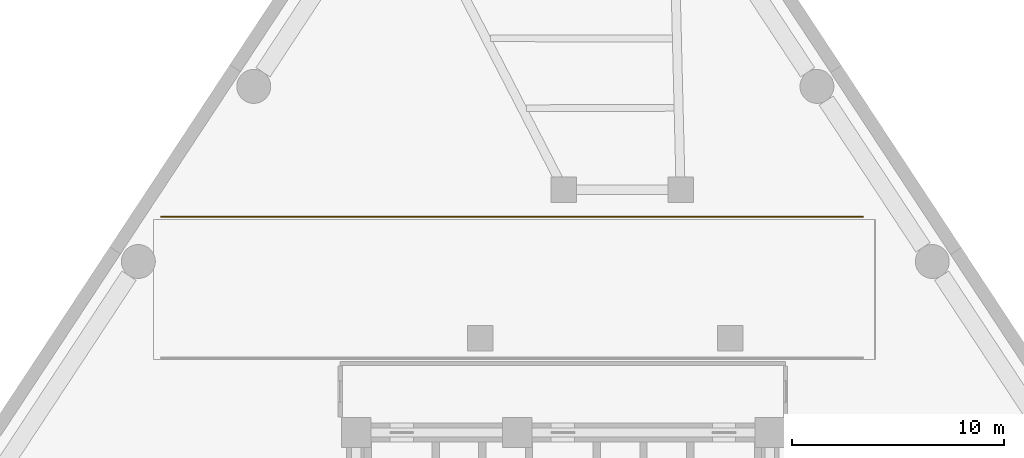
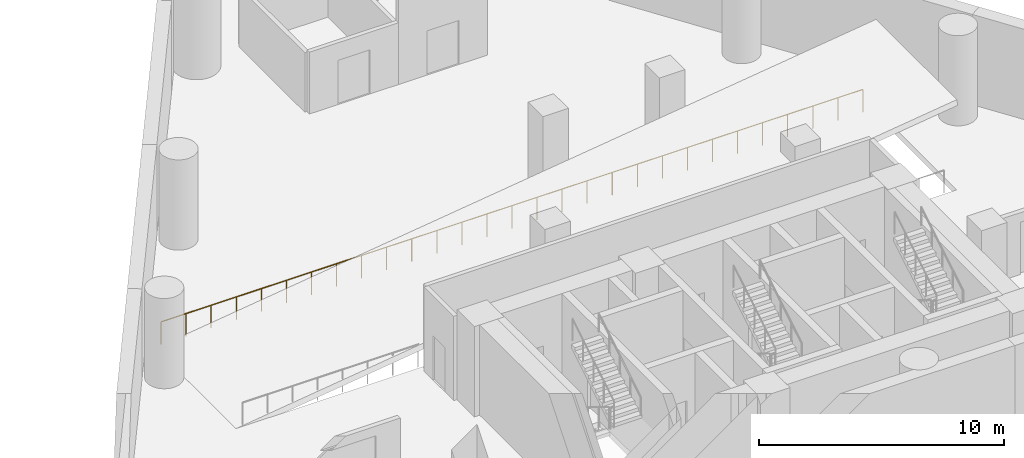
# One storey, part 6 of 6: 1 railing.
"""IFC4 building model written with IfcOpenShell, lengths in metres."""

from ifc_helpers import new_model, si_unit, direction, frame, origin, origin_2d, place, context, subcontext, project, spatial, circle, extrude, material, type_object, element, save


model = new_model("IFC4")

# Units and contexts
model_context = context("Model", 3, precision=1e-05, world=origin(), true_north=direction((0.0, 1.0)))
body_context = subcontext(model_context, "Body", "Model", "MODEL_VIEW")
ifc_project = project(units=[si_unit("LENGTHUNIT", "METRE"), si_unit("AREAUNIT", "SQUARE_METRE"), si_unit("VOLUMEUNIT", "CUBIC_METRE"), si_unit("PLANEANGLEUNIT", "RADIAN"), si_unit("MASSUNIT", "GRAM", prefix="KILO")], contexts=[model_context])

# Site, building, storey
site_placement = place(None, origin())
site = spatial("IfcSite", under=ifc_project, at=site_placement, CompositionType="ELEMENT")
building_placement = place(site_placement, origin())
building = spatial("IfcBuilding", under=site, at=building_placement, Name="Almagre Mirador Tower", CompositionType="ELEMENT")
storey_placement = place(building_placement, frame((0.0, 0.0, -4.5)))
storey = spatial("IfcBuildingStorey", under=building, at=storey_placement, Name="B01", CompositionType="ELEMENT", Elevation=-4.5)

# Railing
ifc_material = material(Name="Painted galvanized steel", Category="steel")
railing_type = type_object("IfcRailingType", Name="RLG-GRD-1150", PredefinedType="GUARDRAIL", material=ifc_material)
railing_placement = place(storey_placement, frame((18.35009765625, 24.919921875, 0.0)))
element("IfcRailing", 1, at=railing_placement, inside=storey, type_object=railing_type, Name="B01 vehicular ramp north edge guardrail", PredefinedType="GUARDRAIL", context=body_context, shape_type="SweptSolid", body=[
    extrude(circle(Radius=0.02392578125, at=origin_2d()), frame((0.0, 0.0, 1.1259765625), z_axis=(1.0, 0.0, 0.0), x_axis=(0.0, 1.0, 0.0)), (0.0, 0.0, 1.0), 33.099853515625),
    extrude(circle(Radius=0.02099609375, at=origin_2d()), origin(), (0.0, 0.0, 1.0), 1.101806640625),
    extrude(circle(Radius=0.02099609375, at=origin_2d()), frame((1.18212890625, 0.0, 0.0)), (0.0, 0.0, 1.0), 1.101806640625),
    extrude(circle(Radius=0.02099609375, at=origin_2d()), frame((2.3642578125, 0.0, 0.0)), (0.0, 0.0, 1.0), 1.101806640625),
    extrude(circle(Radius=0.02099609375, at=origin_2d()), frame((3.54638671875, 0.0, 0.0)), (0.0, 0.0, 1.0), 1.101806640625),
    extrude(circle(Radius=0.02099609375, at=origin_2d()), frame((4.728515625, 0.0, 0.0)), (0.0, 0.0, 1.0), 1.101806640625),
    extrude(circle(Radius=0.02099609375, at=origin_2d()), frame((5.91064453125, 0.0, 0.0)), (0.0, 0.0, 1.0), 1.101806640625),
    extrude(circle(Radius=0.02099609375, at=origin_2d()), frame((7.0927734375, 0.0, 0.0)), (0.0, 0.0, 1.0), 1.101806640625),
    extrude(circle(Radius=0.02099609375, at=origin_2d()), frame((8.27490234375, 0.0, 0.0)), (0.0, 0.0, 1.0), 1.101806640625),
    extrude(circle(Radius=0.02099609375, at=origin_2d()), frame((9.45703125, 0.0, 0.0)), (0.0, 0.0, 1.0), 1.101806640625),
    extrude(circle(Radius=0.02099609375, at=origin_2d()), frame((10.63916015625, 0.0, 0.0)), (0.0, 0.0, 1.0), 1.101806640625),
    extrude(circle(Radius=0.02099609375, at=origin_2d()), frame((11.8212890625, 0.0, 0.0)), (0.0, 0.0, 1.0), 1.101806640625),
    extrude(circle(Radius=0.02099609375, at=origin_2d()), frame((13.00341796875, 0.0, 0.0)), (0.0, 0.0, 1.0), 1.101806640625),
    extrude(circle(Radius=0.02099609375, at=origin_2d()), frame((14.185546875, 0.0, 0.0)), (0.0, 0.0, 1.0), 1.101806640625),
    extrude(circle(Radius=0.02099609375, at=origin_2d()), frame((15.36767578125, 0.0, 0.0)), (0.0, 0.0, 1.0), 1.101806640625),
    extrude(circle(Radius=0.02099609375, at=origin_2d()), frame((16.5498046875, 0.0, 0.0)), (0.0, 0.0, 1.0), 1.101806640625),
    extrude(circle(Radius=0.02099609375, at=origin_2d()), frame((17.732177734375, 0.0, 0.0)), (0.0, 0.0, 1.0), 1.101806640625),
    extrude(circle(Radius=0.02099609375, at=origin_2d()), frame((18.914306640625, 0.0, 0.0)), (0.0, 0.0, 1.0), 1.101806640625),
    extrude(circle(Radius=0.02099609375, at=origin_2d()), frame((20.096435546875, 0.0, 0.0)), (0.0, 0.0, 1.0), 1.101806640625),
    extrude(circle(Radius=0.02099609375, at=origin_2d()), frame((21.278564453125, 0.0, 0.0)), (0.0, 0.0, 1.0), 1.101806640625),
    extrude(circle(Radius=0.02099609375, at=origin_2d()), frame((22.460693359375, 0.0, 0.0)), (0.0, 0.0, 1.0), 1.101806640625),
    extrude(circle(Radius=0.02099609375, at=origin_2d()), frame((23.642822265625, 0.0, 0.0)), (0.0, 0.0, 1.0), 1.101806640625),
    extrude(circle(Radius=0.02099609375, at=origin_2d()), frame((24.824951171875, 0.0, 0.0)), (0.0, 0.0, 1.0), 1.101806640625),
    extrude(circle(Radius=0.02099609375, at=origin_2d()), frame((26.007080078125, 0.0, 0.0)), (0.0, 0.0, 1.0), 1.101806640625),
    extrude(circle(Radius=0.02099609375, at=origin_2d()), frame((27.189208984375, 0.0, 0.0)), (0.0, 0.0, 1.0), 1.101806640625),
    extrude(circle(Radius=0.02099609375, at=origin_2d()), frame((28.371337890625, 0.0, 0.0)), (0.0, 0.0, 1.0), 1.101806640625),
    extrude(circle(Radius=0.02099609375, at=origin_2d()), frame((29.553466796875, 0.0, 0.0)), (0.0, 0.0, 1.0), 1.101806640625),
    extrude(circle(Radius=0.02099609375, at=origin_2d()), frame((30.735595703125, 0.0, 0.0)), (0.0, 0.0, 1.0), 1.101806640625),
    extrude(circle(Radius=0.02099609375, at=origin_2d()), frame((31.917724609375, 0.0, 0.0)), (0.0, 0.0, 1.0), 1.101806640625),
    extrude(circle(Radius=0.02099609375, at=origin_2d()), frame((33.099853515625, 0.0, 0.0)), (0.0, 0.0, 1.0), 1.101806640625),
])

save(model, "model.ifc")
